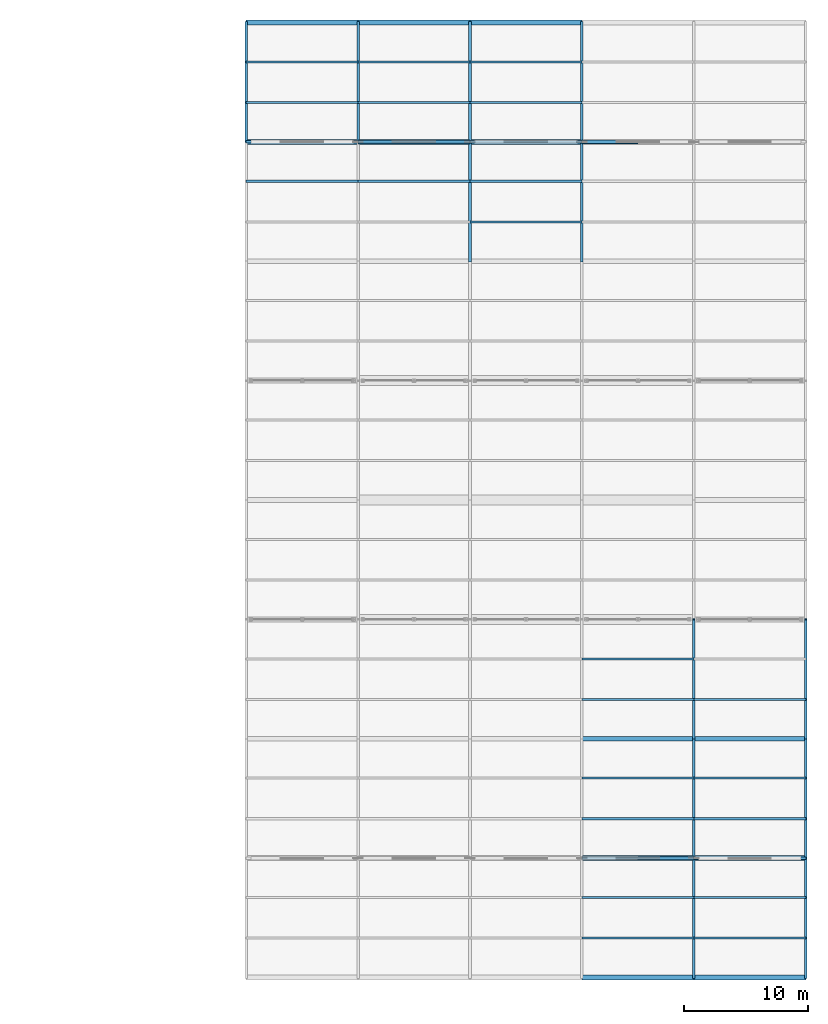
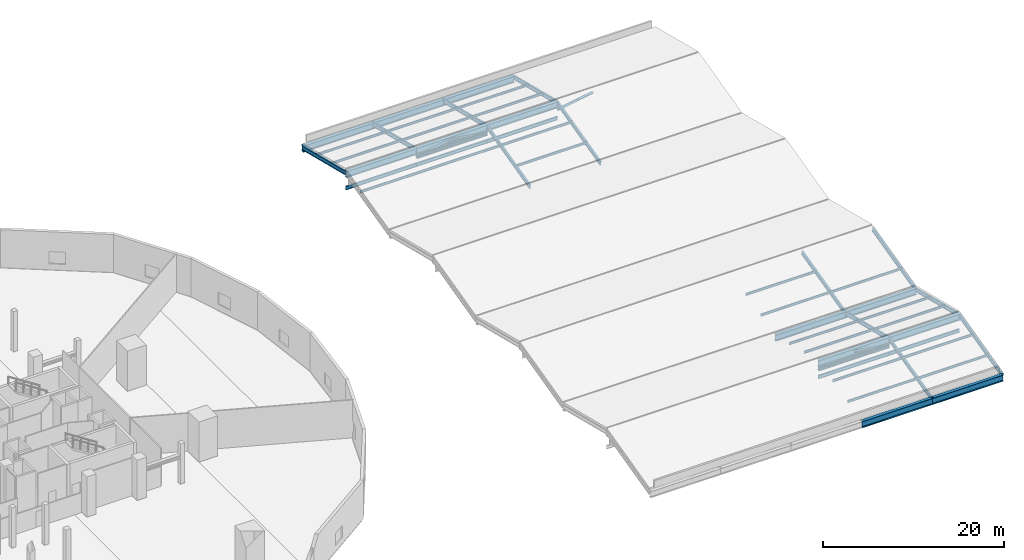
# One storey, part 13 of 36: 39 members, 17 beams.
"""IFC4 building model written with IfcOpenShell, lengths in metres."""

from ifc_helpers import new_model, si_unit, direction, frame, origin, origin_2d, place, context, subcontext, project, spatial, hollow_circle, i_section, extrude, material, material_profile, profile_set, type_object, element, save


model = new_model("IFC4")

# Units and contexts
model_context = context("Model", 3, precision=1e-05, world=origin(), true_north=direction((0.0, 1.0)))
body_context = subcontext(model_context, "Body", "Model", "MODEL_VIEW")
ifc_project = project(units=[si_unit("LENGTHUNIT", "METRE"), si_unit("AREAUNIT", "SQUARE_METRE"), si_unit("VOLUMEUNIT", "CUBIC_METRE"), si_unit("PLANEANGLEUNIT", "RADIAN"), si_unit("MASSUNIT", "GRAM", prefix="KILO")], contexts=[model_context])

# Site, building, storey
site_placement = place(None, origin())
site = spatial("IfcSite", under=ifc_project, at=site_placement, CompositionType="ELEMENT")
building_placement = place(site_placement, origin())
building = spatial("IfcBuilding", under=site, at=building_placement, Name="Qorvath Tower", CompositionType="ELEMENT")
storey_placement = place(building_placement, frame((0.0, 0.0, 27.0)))
storey = spatial("IfcBuildingStorey", under=building, at=storey_placement, Name="L05", CompositionType="ELEMENT", Elevation=27.0)

# Beams
ifc_material_1 = material(Name="Steel ASTM A992 Grade 50", Category="steel")
ifc_material_profile_1 = material_profile(ifc_material_1, i_section(OverallWidth=0.39892578125, OverallDepth=0.85498046875, WebThickness=0.018310546875, FlangeThickness=0.029296875, FilletRadius=0.02001953125, at=origin_2d()), Name="W33x201")
ifc_profile_set_1 = profile_set([ifc_material_profile_1], Name="Steel ASTM A992 Grade 50")
beam_type_1 = type_object("IfcBeamType", Name="BM-FG2", PredefinedType="BEAM", material=ifc_profile_set_1)
for number, where, z_axis, x_axis, name in (
    (1, (59.39990234375, -38.39990234375, -0.7275390625), (1.0, 0.0, 0.0), (0.0, 1.0, 0.0), "Library Roof Fold Line Girder 1-4"),
    (2, (68.39990234375, -38.39990234375, -0.7275390625), (1.0, 0.0, 0.0), (0.0, 1.0, 0.0), "Library Roof Fold Line Girder 1-5"),
    (3, (59.39990234375, -28.800048828125, 1.666015625), (1.0, 0.0, 0.0), (0.0, 1.0, 0.0), "Library Roof Fold Line Girder 2-4"),
    (4, (68.39990234375, -28.800048828125, 1.666015625), (1.0, 0.0, 0.0), (0.0, 1.0, 0.0), "Library Roof Fold Line Girder 2-5"),
    (5, (59.39990234375, -19.199951171875, -0.7275390625), (1.0, 0.0, 0.0), (0.0, 1.0, 0.0), "Library Roof Fold Line Girder 3-4"),
    (6, (68.39990234375, -19.199951171875, -0.7275390625), (1.0, 0.0, 0.0), (0.0, 1.0, 0.0), "Library Roof Fold Line Girder 3-5"),
    (7, (32.39990234375, 28.800048828125, 1.666015625), (1.0, 0.0, 0.0), (0.0, 1.0, 0.0), "Library Roof Fold Line Girder 8-1"),
    (8, (41.39990234375, 28.800048828125, 1.666015625), (1.0, 0.0, 0.0), (0.0, 1.0, 0.0), "Library Roof Fold Line Girder 8-2"),
    (9, (50.39990234375, 28.800048828125, 1.666015625), (1.0, 0.0, 0.0), (0.0, 1.0, 0.0), "Library Roof Fold Line Girder 8-3"),
    (10, (32.39990234375, 38.39990234375, -0.7275390625), (1.0, 0.0, 0.0), (0.0, 1.0, 0.0), "Library Roof Fold Line Girder 9-1"),
    (11, (41.39990234375, 38.39990234375, -0.7275390625), (1.0, 0.0, 0.0), (0.0, 1.0, 0.0), "Library Roof Fold Line Girder 9-2"),
    (12, (50.39990234375, 38.39990234375, -0.7275390625), (1.0, 0.0, 0.0), (0.0, 1.0, 0.0), "Library Roof Fold Line Girder 9-3"),
):
    element("IfcBeam", number, at=place(storey_placement, frame(where, z_axis=z_axis, x_axis=x_axis)), inside=storey, type_object=beam_type_1, Name=name, PredefinedType="BEAM", context=body_context, shape_type="SweptSolid", body=[
        extrude(i_section(OverallWidth=0.39892578125, OverallDepth=0.85498046875, WebThickness=0.018310546875, FlangeThickness=0.029296875, FilletRadius=0.02001953125, at=origin_2d()), origin(), (0.0, 0.0, 1.0), 9.0),
    ])
ifc_material_2 = material(Name="Steel ASTM A992 Grade 50", Category="steel")
ifc_material_profile_2 = material_profile(ifc_material_2, i_section(OverallWidth=0.18994140625, OverallDepth=0.45703125, WebThickness=0.009033203125, FlangeThickness=0.014404296875, FilletRadius=0.011962890625, at=origin_2d()), Name="W18x50")
ifc_profile_set_2 = profile_set([ifc_material_profile_2], Name="Steel ASTM A992 Grade 50")
beam_type_2 = type_object("IfcBeamType", Name="BM-FJ2", PredefinedType="JOIST", material=ifc_profile_set_2)
for number, where, z_axis, x_axis, name in (
    (13, (59.39990234375, -28.800048828125, -0.228515625), (1.0, 0.0, 0.0), (0.0, 1.0, 0.0), "Library Clerestory Monitor Sill Beam 2-4"),
    (14, (68.39990234375, -28.800048828125, -0.228515625), (1.0, 0.0, 0.0), (0.0, 1.0, 0.0), "Library Clerestory Monitor Sill Beam 2-5"),
    (15, (32.39990234375, 28.800048828125, -0.228515625), (1.0, 0.0, 0.0), (0.0, 1.0, 0.0), "Library Clerestory Monitor Sill Beam 8-1"),
    (16, (41.39990234375, 28.800048828125, -0.228515625), (1.0, 0.0, 0.0), (0.0, 1.0, 0.0), "Library Clerestory Monitor Sill Beam 8-2"),
    (17, (50.39990234375, 28.800048828125, -0.228515625), (1.0, 0.0, 0.0), (0.0, 1.0, 0.0), "Library Clerestory Monitor Sill Beam 8-3"),
):
    element("IfcBeam", number, at=place(storey_placement, frame(where, z_axis=z_axis, x_axis=x_axis)), inside=storey, type_object=beam_type_2, Name=name, PredefinedType="JOIST", context=body_context, shape_type="SweptSolid", body=[
        extrude(i_section(OverallWidth=0.18994140625, OverallDepth=0.45703125, WebThickness=0.009033203125, FlangeThickness=0.014404296875, FilletRadius=0.011962890625, at=origin_2d()), origin(), (0.0, 0.0, 1.0), 9.0),
    ])

# Members
ifc_material_3 = material(Name="Steel ASTM A913 Grade 65", Category="steel")
ifc_material_profile_3 = material_profile(ifc_material_3, i_section(OverallWidth=0.4189453125, OverallDepth=0.455078125, WebThickness=0.0419921875, FlangeThickness=0.067626953125, FilletRadius=0.02490234375, at=origin_2d()), Name="W14x370")
ifc_profile_set_3 = profile_set([ifc_material_profile_3], Name="Steel ASTM A913 Grade 65")
member_type_1 = type_object("IfcMemberType", Name="MEM-OT2", PredefinedType="CHORD", material=ifc_profile_set_3)
for number, where, z_axis, x_axis, name in (
    (18, (59.39990234375, -28.800048828125, 0.8935546875), (1.0, 0.0, 0.0), (0.0, 1.0, 0.0), "Library Roof Truss Tie Chord 2-3"),
    (19, (41.39990234375, 28.800048828125, 0.8935546875), (1.0, 0.0, 0.0), (0.0, 1.0, 0.0), "Library Roof Truss Tie Chord 8-1"),
):
    element("IfcMember", number, at=place(storey_placement, frame(where, z_axis=z_axis, x_axis=x_axis)), inside=storey, type_object=member_type_1, Name=name, PredefinedType="CHORD", context=body_context, shape_type="SweptSolid", body=[
        extrude(i_section(OverallWidth=0.4189453125, OverallDepth=0.455078125, WebThickness=0.0419921875, FlangeThickness=0.067626953125, FilletRadius=0.02490234375, at=origin_2d()), origin(), (0.0, 0.0, 1.0), 9.0),
    ])
ifc_material_4 = material(Name="Steel ASTM A992 Grade 50", Category="steel")
ifc_material_profile_4 = material_profile(ifc_material_4, i_section(OverallWidth=0.1650390625, OverallDepth=0.31005859375, WebThickness=0.005859375, FlangeThickness=0.009765625, FilletRadius=0.010009765625, at=origin_2d()), Name="W12x26")
ifc_profile_set_4 = profile_set([ifc_material_profile_4], Name="Steel ASTM A992 Grade 50")
member_type_2 = type_object("IfcMemberType", Name="MEM-PR1", PredefinedType="PURLIN", material=ifc_profile_set_4)
for number, where, z_axis, x_axis, name in (
    (20, (59.39990234375, -35.23193359375, 0.357177734375), (1.0, 0.0, 0.0), (0.0, 1.0, 0.0), "Library Folded Roof Purlin F1-P1-4"),
    (21, (68.39990234375, -35.23193359375, 0.357177734375), (1.0, 0.0, 0.0), (0.0, 1.0, 0.0), "Library Folded Roof Purlin F1-P1-5"),
    (22, (59.39990234375, -31.968017578125, 1.1708984375), (1.0, 0.0, 0.0), (0.0, 1.0, 0.0), "Library Folded Roof Purlin F1-P2-4"),
    (23, (68.39990234375, -31.968017578125, 1.1708984375), (1.0, 0.0, 0.0), (0.0, 1.0, 0.0), "Library Folded Roof Purlin F1-P2-5"),
    (24, (59.39990234375, -25.632080078125, 1.1708984375), (1.0, 0.0, 0.0), (0.0, 1.0, 0.0), "Library Folded Roof Purlin F2-P1-4"),
    (25, (68.39990234375, -25.632080078125, 1.1708984375), (1.0, 0.0, 0.0), (0.0, 1.0, 0.0), "Library Folded Roof Purlin F2-P1-5"),
    (26, (59.39990234375, -22.367919921875, 0.357177734375), (1.0, 0.0, 0.0), (0.0, 1.0, 0.0), "Library Folded Roof Purlin F2-P2-4"),
    (27, (68.39990234375, -22.367919921875, 0.357177734375), (1.0, 0.0, 0.0), (0.0, 1.0, 0.0), "Library Folded Roof Purlin F2-P2-5"),
    (28, (59.39990234375, -16.031982421875, 0.357177734375), (1.0, 0.0, 0.0), (0.0, 1.0, 0.0), "Library Folded Roof Purlin F3-P1-4"),
    (29, (68.39990234375, -16.031982421875, 0.357177734375), (1.0, 0.0, 0.0), (0.0, 1.0, 0.0), "Library Folded Roof Purlin F3-P1-5"),
    (30, (59.39990234375, -12.76806640625, 1.1708984375), (1.0, 0.0, 0.0), (0.0, 1.0, 0.0), "Library Folded Roof Purlin F3-P2-4"),
    (31, (50.39990234375, 22.367919921875, 0.357177734375), (1.0, 0.0, 0.0), (0.0, 1.0, 0.0), "Library Folded Roof Purlin F7-P1-3"),
    (32, (32.39990234375, 25.632080078125, 1.1708984375), (1.0, 0.0, 0.0), (0.0, 1.0, 0.0), "Library Folded Roof Purlin F7-P2-1"),
    (33, (41.39990234375, 25.632080078125, 1.1708984375), (1.0, 0.0, 0.0), (0.0, 1.0, 0.0), "Library Folded Roof Purlin F7-P2-2"),
    (34, (50.39990234375, 25.632080078125, 1.1708984375), (1.0, 0.0, 0.0), (0.0, 1.0, 0.0), "Library Folded Roof Purlin F7-P2-3"),
    (35, (32.39990234375, 31.968017578125, 1.1708984375), (1.0, 0.0, 0.0), (0.0, 1.0, 0.0), "Library Folded Roof Purlin F8-P1-1"),
    (36, (41.39990234375, 31.968017578125, 1.1708984375), (1.0, 0.0, 0.0), (0.0, 1.0, 0.0), "Library Folded Roof Purlin F8-P1-2"),
    (37, (50.39990234375, 31.968017578125, 1.1708984375), (1.0, 0.0, 0.0), (0.0, 1.0, 0.0), "Library Folded Roof Purlin F8-P1-3"),
    (38, (32.39990234375, 35.23193359375, 0.357177734375), (1.0, 0.0, 0.0), (0.0, 1.0, 0.0), "Library Folded Roof Purlin F8-P2-1"),
    (39, (41.39990234375, 35.23193359375, 0.357177734375), (1.0, 0.0, 0.0), (0.0, 1.0, 0.0), "Library Folded Roof Purlin F8-P2-2"),
    (40, (50.39990234375, 35.23193359375, 0.357177734375), (1.0, 0.0, 0.0), (0.0, 1.0, 0.0), "Library Folded Roof Purlin F8-P2-3"),
):
    element("IfcMember", number, at=place(storey_placement, frame(where, z_axis=z_axis, x_axis=x_axis)), inside=storey, type_object=member_type_2, Name=name, PredefinedType="PURLIN", context=body_context, shape_type="SweptSolid", body=[
        extrude(i_section(OverallWidth=0.1650390625, OverallDepth=0.31005859375, WebThickness=0.005859375, FlangeThickness=0.009765625, FilletRadius=0.010009765625, at=origin_2d()), origin(), (0.0, 0.0, 1.0), 9.0),
    ])
ifc_material_5 = material(Name="Steel ASTM A992 Grade 50", Category="steel")
ifc_material_profile_5 = material_profile(ifc_material_5, i_section(OverallWidth=0.208984375, OverallDepth=0.532958984375, WebThickness=0.01025390625, FlangeThickness=0.015625, FilletRadius=0.013916015625, at=origin_2d()), Name="W21x62")
ifc_profile_set_5 = profile_set([ifc_material_profile_5], Name="Steel ASTM A992 Grade 50")
member_type_3 = type_object("IfcMemberType", Name="MEM-RF1", PredefinedType="RAFTER", material=ifc_profile_set_5)
for number, where, z_axis, x_axis, name in (
    (41, (68.39990234375, -38.39990234375, -0.564208984375), (0.0, 0.970294720706, 0.241925928684), (-1.0, 0.0, 0.0), "Library Folded Roof Rafter F1-5"),
    (42, (77.39990234375, -38.39990234375, -0.564208984375), (0.0, 0.970294720706, 0.241925928684), (-1.0, 0.0, 0.0), "Library Folded Roof Rafter F1-6"),
):
    element("IfcMember", number, at=place(storey_placement, frame(where, z_axis=z_axis, x_axis=x_axis)), inside=storey, type_object=member_type_3, Name=name, PredefinedType="RAFTER", context=body_context, shape_type="SweptSolid", body=[
        extrude(i_section(OverallWidth=0.208984375, OverallDepth=0.532958984375, WebThickness=0.01025390625, FlangeThickness=0.015625, FilletRadius=0.013916015625, at=origin_2d()), origin(), (0.0, 0.0, 1.0), 9.893798828125),
    ])
for number, where, z_axis, x_axis, name in (
    (43, (68.39990234375, -28.800048828125, 1.829345703125), (0.0, 0.970296164909, -0.24192013633), (-1.0, 0.0, 0.0), "Library Folded Roof Rafter F2-5"),
    (44, (77.39990234375, -28.800048828125, 1.829345703125), (0.0, 0.970296164909, -0.24192013633), (-1.0, 0.0, 0.0), "Library Folded Roof Rafter F2-6"),
):
    element("IfcMember", number, at=place(storey_placement, frame(where, z_axis=z_axis, x_axis=x_axis)), inside=storey, type_object=member_type_3, Name=name, PredefinedType="RAFTER", context=body_context, shape_type="SweptSolid", body=[
        extrude(i_section(OverallWidth=0.208984375, OverallDepth=0.532958984375, WebThickness=0.01025390625, FlangeThickness=0.015625, FilletRadius=0.013916015625, at=origin_2d()), origin(), (0.0, 0.0, 1.0), 9.89404296875),
    ])
for number, where, z_axis, x_axis, name in (
    (45, (68.39990234375, -19.199951171875, -0.564208984375), (0.0, 0.970294720706, 0.241925928684), (-1.0, 0.0, 0.0), "Library Folded Roof Rafter F3-5"),
    (46, (77.39990234375, -19.199951171875, -0.564208984375), (0.0, 0.970294720706, 0.241925928684), (-1.0, 0.0, 0.0), "Library Folded Roof Rafter F3-6"),
):
    element("IfcMember", number, at=place(storey_placement, frame(where, z_axis=z_axis, x_axis=x_axis)), inside=storey, type_object=member_type_3, Name=name, PredefinedType="RAFTER", context=body_context, shape_type="SweptSolid", body=[
        extrude(i_section(OverallWidth=0.208984375, OverallDepth=0.532958984375, WebThickness=0.01025390625, FlangeThickness=0.015625, FilletRadius=0.013916015625, at=origin_2d()), origin(), (0.0, 0.0, 1.0), 9.893798828125),
    ])
for number, where, z_axis, x_axis, name in (
    (47, (50.39990234375, 19.199951171875, -0.564208984375), (0.0, 0.970296164909, 0.24192013633), (-1.0, 0.0, 0.0), "Library Folded Roof Rafter F7-3"),
    (48, (59.39990234375, 19.199951171875, -0.564208984375), (0.0, 0.970296164909, 0.24192013633), (-1.0, 0.0, 0.0), "Library Folded Roof Rafter F7-4"),
):
    element("IfcMember", number, at=place(storey_placement, frame(where, z_axis=z_axis, x_axis=x_axis)), inside=storey, type_object=member_type_3, Name=name, PredefinedType="RAFTER", context=body_context, shape_type="SweptSolid", body=[
        extrude(i_section(OverallWidth=0.208984375, OverallDepth=0.532958984375, WebThickness=0.01025390625, FlangeThickness=0.015625, FilletRadius=0.013916015625, at=origin_2d()), origin(), (0.0, 0.0, 1.0), 9.89404296875),
    ])
for number, where, z_axis, x_axis, name in (
    (49, (32.39990234375, 28.800048828125, 1.829345703125), (0.0, 0.970294720706, -0.241925928684), (-1.0, 0.0, 0.0), "Library Folded Roof Rafter F8-1"),
    (50, (41.39990234375, 28.800048828125, 1.829345703125), (0.0, 0.970294720706, -0.241925928684), (-1.0, 0.0, 0.0), "Library Folded Roof Rafter F8-2"),
    (51, (50.39990234375, 28.800048828125, 1.829345703125), (0.0, 0.970294720706, -0.241925928684), (-1.0, 0.0, 0.0), "Library Folded Roof Rafter F8-3"),
    (52, (59.39990234375, 28.800048828125, 1.829345703125), (0.0, 0.970294720706, -0.241925928684), (-1.0, 0.0, 0.0), "Library Folded Roof Rafter F8-4"),
):
    element("IfcMember", number, at=place(storey_placement, frame(where, z_axis=z_axis, x_axis=x_axis)), inside=storey, type_object=member_type_3, Name=name, PredefinedType="RAFTER", context=body_context, shape_type="SweptSolid", body=[
        extrude(i_section(OverallWidth=0.208984375, OverallDepth=0.532958984375, WebThickness=0.01025390625, FlangeThickness=0.015625, FilletRadius=0.013916015625, at=origin_2d()), origin(), (0.0, 0.0, 1.0), 9.893798828125),
    ])
ifc_material_6 = material(Name="Steel ASTM A500 Grade C", Category="steel")
ifc_material_profile_6 = material_profile(ifc_material_6, hollow_circle(Radius=0.161865234375, WallThickness=0.0126953125, at=origin_2d()), Name="CHS 324x12.7")
ifc_profile_set_6 = profile_set([ifc_material_profile_6], Name="Steel ASTM A500 Grade C")
member_type_4 = type_object("IfcMemberType", Name="MEM-ST1", PredefinedType="STRUT", material=ifc_profile_set_6)
for number, where, z_axis, x_axis, name in (
    (53, (68.39990234375, -28.800048828125, 0.8935546875), (-0.985673607445, 0.0, 0.16866398426), (0.0, -1.0, 0.0), "Library Roof Truss Web 2-3B"),
    (54, (41.39990234375, 28.800048828125, 0.8935546875), (0.985673607445, 0.0, 0.16866398426), (0.0, 1.0, 0.0), "Library Roof Truss Web 8-1A"),
    (55, (50.39990234375, 28.800048828125, 0.8935546875), (-0.985673607445, 0.0, 0.16866398426), (0.0, -1.0, 0.0), "Library Roof Truss Web 8-1B"),
    (56, (59.39990234375, 28.800048828125, 0.8935546875), (0.985673607445, 0.0, 0.16866398426), (0.0, 1.0, 0.0), "Library Roof Truss Web 8-3A"),
):
    element("IfcMember", number, at=place(storey_placement, frame(where, z_axis=z_axis, x_axis=x_axis)), inside=storey, type_object=member_type_4, Name=name, PredefinedType="STRUT", context=body_context, shape_type="SweptSolid", body=[
        extrude(hollow_circle(Radius=0.161865234375, WallThickness=0.0126953125, at=origin_2d()), origin(), (0.0, 0.0, 1.0), 4.5654296875),
    ])

save(model, "model.ifc")
